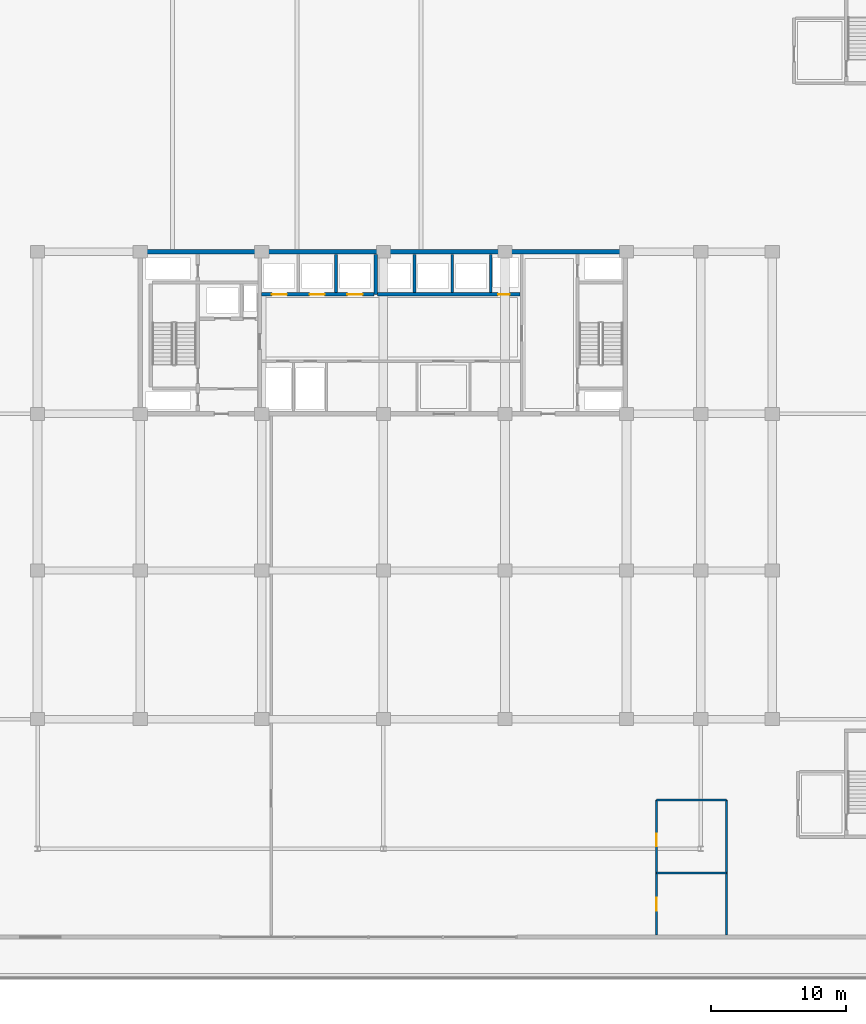
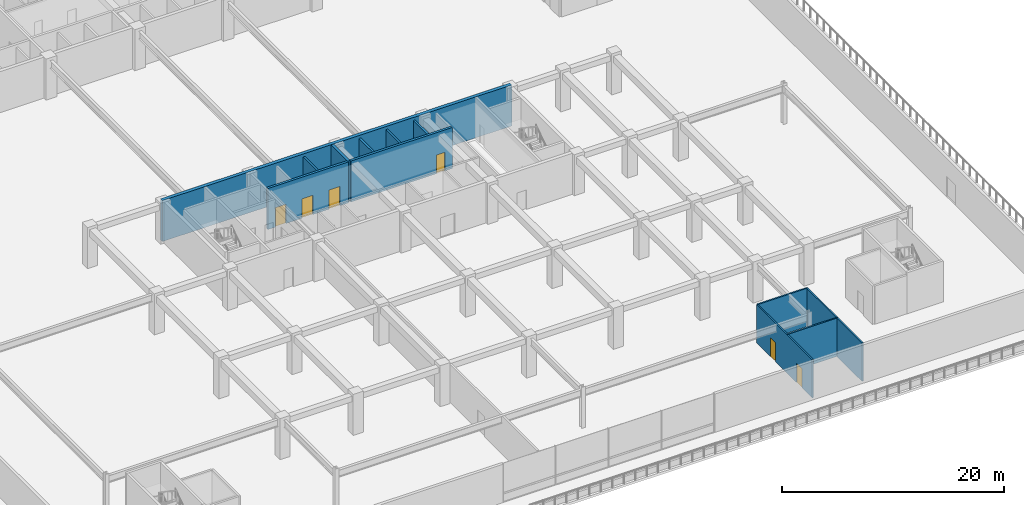
# One storey, part 21 of 43: 12 walls, 6 doors, 6 openings.
"""IFC4 building model written with IfcOpenShell, lengths in metres."""

from ifc_helpers import new_model, si_unit, direction, frame, frame_2d, origin, place, context, subcontext, project, spatial, rectangle, extrude, material, layer, layer_set, type_object, element, fill, save


model = new_model("IFC4")

# Units and contexts
model_context = context("Model", 3, precision=1e-05, world=origin(), true_north=direction((0.0, 1.0)))
body_context = subcontext(model_context, "Body", "Model", "MODEL_VIEW")
ifc_project = project(units=[si_unit("LENGTHUNIT", "METRE"), si_unit("AREAUNIT", "SQUARE_METRE"), si_unit("VOLUMEUNIT", "CUBIC_METRE"), si_unit("PLANEANGLEUNIT", "RADIAN"), si_unit("MASSUNIT", "GRAM", prefix="KILO")], contexts=[model_context])

# Site, building, storey
site_placement = place(None, origin())
site = spatial("IfcSite", under=ifc_project, at=site_placement, CompositionType="ELEMENT")
building_placement = place(site_placement, origin())
building = spatial("IfcBuilding", under=site, at=building_placement, Name="Korimba Cascade Residences", CompositionType="ELEMENT")
storey_placement = place(building_placement, frame((0.0, 0.0, 10.0)))
storey = spatial("IfcBuildingStorey", under=building, at=storey_placement, Name="L02", CompositionType="ELEMENT", Elevation=10.0)

# Wall
ifc_material_1 = material(Name="Concrete C65/80", Category="concrete")
ifc_layer_1 = layer(ifc_material_1, 0.35009765625)
ifc_layer_set_1 = layer_set([ifc_layer_1], Name="Concrete C65/80")
wall_type_1 = type_object("IfcWallType", Name="WAL-CORE-350", PredefinedType="SHEAR", material=ifc_layer_set_1)
wall_1_placement = place(storey_placement, frame((81.925048828125, 30.39990234375, 0.0), z_axis=(0.0, 0.0, 1.0), x_axis=(1.0, 0.0, 0.0)))
element("IfcWall", 1, at=wall_1_placement, inside=storey, type_object=wall_type_1, Name="L02 Core Shear Wall CW-L02-T2-N", PredefinedType="SHEAR", context=body_context, shape_type="SweptSolid", body=[
    extrude(rectangle(XDim=36.264892578125, YDim=0.35009765625, at=frame_2d((18.13232421875, 0.0))), origin(), (0.0, 0.0, 1.0), 4.5),
])

# Wall, openings, doors
ifc_material_2 = material(Name="Insulated Acoustic Stud Partition", Category="gypsum")
ifc_layer_2 = layer(ifc_material_2, 0.14990234375)
ifc_layer_set_2 = layer_set([ifc_layer_2], Name="Insulated Acoustic Stud Partition")
wall_type_2 = type_object("IfcWallType", Name="WAL-PART-150", PredefinedType="PARTITIONING", material=ifc_layer_set_2)
wall_2_placement = place(storey_placement, frame((120.320068359375, -20.199951171875, 0.0), z_axis=(0.0, 0.0, 1.0), x_axis=(0.0, 1.0, 0.0)))
wall_2 = element("IfcWall", 2, at=wall_2_placement, inside=storey, type_object=wall_type_2, Name="L02 Partition Wall WAL-L02-WCW", PredefinedType="PARTITIONING", context=body_context, shape_type="SweptSolid", body=[
    extrude(rectangle(XDim=10.0, YDim=0.14990234375, at=frame_2d((5.0, 0.0))), origin(), (0.0, 0.0, 1.0), 4.199951171875),
])
opening_1_placement = place(wall_2_placement, frame((1.800048828125, 0.0, 0.0)))
opening_1 = element("IfcOpeningElement", 3, at=opening_1_placement, cuts=wall_2, Name="Opening D-AC1", PredefinedType="OPENING", context=body_context, shape_type="SweptSolid", body=[
    extrude(rectangle(XDim=0.9599609375, YDim=2.10009765625, at=frame_2d((0.47998046875, 1.050048828125))), frame((0.0, 0.0849609375, 0.0), z_axis=(0.0, -1.0, 0.0), x_axis=(1.0, 0.0, 0.0)), (0.0, 0.0, 1.0), 0.169921875),
])
opening_2_placement = place(wall_2_placement, frame((6.60009765625, 0.0, 0.0)))
opening_2 = element("IfcOpeningElement", 4, at=opening_2_placement, cuts=wall_2, Name="Opening D-IN1", PredefinedType="OPENING", context=body_context, shape_type="SweptSolid", body=[
    extrude(rectangle(XDim=0.919921875, YDim=2.080078125, at=frame_2d((0.4599609375, 1.0400390625))), frame((0.0, 0.0849609375, 0.0), z_axis=(0.0, -1.0, 0.0), x_axis=(1.0, 0.0, 0.0)), (0.0, 0.0, 1.0), 0.169921875),
])
ifc_material_3 = material(Name="Accessible Acoustic Timber WC Door", Category="wood")
door_type_1 = type_object("IfcDoorType", Name="DR-ACC-950", OperationType="NOTDEFINED", PredefinedType="DOOR", material=ifc_material_3)
door_1_placement = place(opening_1_placement, origin())
door_1 = element("IfcDoor", 5, at=door_1_placement, inside=storey, type_object=door_type_1, Name="L02 Accessible WC Door", OperationType="SINGLE_SWING_RIGHT", OverallHeight=2.10009765625, OverallWidth=0.9599609375, PredefinedType="DOOR", context=body_context, shape_type="SweptSolid", body=[
    extrude(rectangle(XDim=0.9599609375, YDim=2.10009765625, at=frame_2d((0.47998046875, 1.050048828125))), frame((0.0, 0.02490234375, 0.0), z_axis=(0.0, -1.0, 0.0), x_axis=(1.0, 0.0, 0.0)), (0.0, 0.0, 1.0), 0.050048828125),
])
fill(opening_1, door_1)
ifc_material_4 = material(Name="Acoustic Timber Living Door", Category="wood")
door_type_2 = type_object("IfcDoorType", Name="DR-INT-920", OperationType="NOTDEFINED", PredefinedType="DOOR", material=ifc_material_4)
door_2_placement = place(opening_2_placement, origin())
door_2 = element("IfcDoor", 6, at=door_2_placement, inside=storey, type_object=door_type_2, Name="L02 Restroom Door", OperationType="SINGLE_SWING_LEFT", OverallHeight=2.080078125, OverallWidth=0.919921875, PredefinedType="DOOR", context=body_context, shape_type="SweptSolid", body=[
    extrude(rectangle(XDim=0.919921875, YDim=2.080078125, at=frame_2d((0.4599609375, 1.0400390625))), frame((0.0, 0.02490234375, 0.0), z_axis=(0.0, -1.0, 0.0), x_axis=(1.0, 0.0, 0.0)), (0.0, 0.0, 1.0), 0.050048828125),
])
fill(opening_2, door_2)

# Walls
for number, where, z_axis, x_axis, name in (
    (7, (120.320068359375, -15.60009765625, 0.0), (0.0, 0.0, 1.0), (1.0, 0.0, 0.0), "L02 Partition Wall WAL-L02-WCH1"),
    (8, (120.320068359375, -10.199951171875, 0.0), (0.0, 0.0, 1.0), (1.0, 0.0, 0.0), "L02 Partition Wall WAL-L02-WCH2"),
):
    element("IfcWall", number, at=place(storey_placement, frame(where, z_axis=z_axis, x_axis=x_axis)), inside=storey, type_object=wall_type_2, Name=name, PredefinedType="PARTITIONING", context=body_context, shape_type="SweptSolid", body=[
        extrude(rectangle(XDim=5.179931640625, YDim=0.14990234375, at=frame_2d((2.58984375, 0.0))), origin(), (0.0, 0.0, 1.0), 4.199951171875),
    ])
wall_3_placement = place(storey_placement, frame((125.5, -20.199951171875, 0.0), z_axis=(0.0, 0.0, 1.0), x_axis=(0.0, 1.0, 0.0)))
element("IfcWall", 9, at=wall_3_placement, inside=storey, type_object=wall_type_2, Name="L02 Partition Wall WAL-L02-WCE", PredefinedType="PARTITIONING", context=body_context, shape_type="SweptSolid", body=[
    extrude(rectangle(XDim=10.0, YDim=0.14990234375, at=frame_2d((5.0, 0.0))), origin(), (0.0, 0.0, 1.0), 4.199951171875),
])
ifc_material_5 = material(Name="Concrete C40/50", Category="concrete")
ifc_layer_3 = layer(ifc_material_5, 0.199951171875)
ifc_layer_set_3 = layer_set([ifc_layer_3], Name="Concrete C40/50")
wall_type_3 = type_object("IfcWallType", Name="WAL-PART-200", PredefinedType="PARTITIONING", material=ifc_layer_set_3)
for number, where, z_axis, x_axis, name in (
    (10, (96.60009765625, 27.3798828125, 0.0), (0.0, 0.0, 1.0), (0.0, 1.0, 0.0), "L02 Partition Wall CW-L02-T2-B1D2"),
    (11, (102.39990234375, 27.3798828125, 0.0), (0.0, 0.0, 1.0), (0.0, 1.0, 0.0), "L02 Partition Wall CW-L02-T2-B2D1"),
    (12, (105.199951171875, 27.3798828125, 0.0), (0.0, 0.0, 1.0), (0.0, 1.0, 0.0), "L02 Partition Wall CW-L02-T2-B2D2"),
    (13, (108.050048828125, 27.3798828125, 0.0), (0.0, 0.0, 1.0), (0.0, 1.0, 0.0), "L02 Partition Wall CW-L02-T2-B2D3"),
):
    element("IfcWall", number, at=place(storey_placement, frame(where, z_axis=z_axis, x_axis=x_axis)), inside=storey, type_object=wall_type_3, Name=name, PredefinedType="PARTITIONING", context=body_context, shape_type="SweptSolid", body=[
        extrude(rectangle(XDim=2.820068359375, YDim=0.199951171875, at=frame_2d((1.41015625, 0.0))), origin(), (0.0, 0.0, 1.0), 4.199951171875),
    ])

# Wall, openings, doors
ifc_material_6 = material(Name="Concrete C50/60", Category="concrete")
ifc_layer_4 = layer(ifc_material_6, 0.25)
ifc_layer_set_4 = layer_set([ifc_layer_4], Name="Concrete C50/60")
wall_type_4 = type_object("IfcWallType", Name="WAL-SHAFT-250", PredefinedType="SHEAR", material=ifc_layer_set_4)
wall_4_placement = place(storey_placement, frame((91.080078125, 27.25, 0.0), z_axis=(0.0, 0.0, 1.0), x_axis=(1.0, 0.0, 0.0)))
wall_4 = element("IfcWall", 14, at=wall_4_placement, inside=storey, type_object=wall_type_4, Name="L02 Core Shear Wall CW-L02-T2-B1S", PredefinedType="SHEAR", context=body_context, shape_type="SweptSolid", body=[
    extrude(rectangle(XDim=8.33984375, YDim=0.25, at=frame_2d((4.169921875, 0.0))), origin(), (0.0, 0.0, 1.0), 4.5),
])
opening_3_placement = place(wall_4_placement, frame((0.760009765625, 0.0, 0.0)))
opening_3 = element("IfcOpeningElement", 15, at=opening_3_placement, cuts=wall_4, Name="Opening LD-01", PredefinedType="OPENING", context=body_context, shape_type="SweptSolid", body=[
    extrude(rectangle(XDim=1.1201171875, YDim=2.1201171875, at=frame_2d((0.56005859375, 1.06005859375))), frame((0.0, 0.135009765625, 0.0), z_axis=(0.0, -1.0, 0.0), x_axis=(1.0, 0.0, 0.0)), (0.0, 0.0, 1.0), 0.27001953125),
])
opening_4_placement = place(wall_4_placement, frame((3.56005859375, 0.0, 0.0)))
opening_4 = element("IfcOpeningElement", 16, at=opening_4_placement, cuts=wall_4, Name="Opening LD-01", PredefinedType="OPENING", context=body_context, shape_type="SweptSolid", body=[
    extrude(rectangle(XDim=1.1201171875, YDim=2.1201171875, at=frame_2d((0.56005859375, 1.06005859375))), frame((0.0, 0.135009765625, 0.0), z_axis=(0.0, -1.0, 0.0), x_axis=(1.0, 0.0, 0.0)), (0.0, 0.0, 1.0), 0.27001953125),
])
opening_5_placement = place(wall_4_placement, frame((6.360107421875, 0.0, 0.0)))
opening_5 = element("IfcOpeningElement", 17, at=opening_5_placement, cuts=wall_4, Name="Opening LD-01", PredefinedType="OPENING", context=body_context, shape_type="SweptSolid", body=[
    extrude(rectangle(XDim=1.1201171875, YDim=2.1201171875, at=frame_2d((0.56005859375, 1.06005859375))), frame((0.0, 0.135009765625, 0.0), z_axis=(0.0, -1.0, 0.0), x_axis=(1.0, 0.0, 0.0)), (0.0, 0.0, 1.0), 0.27001953125),
])
ifc_material_7 = material(Name="Stainless Steel Lift Landing Sliding Door", Category="steel")
door_type_3 = type_object("IfcDoorType", Name="DR-LIFT-1100", OperationType="NOTDEFINED", PredefinedType="DOOR", material=ifc_material_7)
door_3_placement = place(opening_3_placement, origin())
door_3 = element("IfcDoor", 18, at=door_3_placement, inside=storey, type_object=door_type_3, Name="L02 Lift Landing Door PL-E1", OperationType="SLIDING_TO_LEFT", OverallHeight=2.1201171875, OverallWidth=1.1201171875, PredefinedType="DOOR", context=body_context, shape_type="SweptSolid", body=[
    extrude(rectangle(XDim=1.1201171875, YDim=2.1201171875, at=frame_2d((0.56005859375, 1.06005859375))), frame((0.0, 0.02490234375, 0.0), z_axis=(0.0, -1.0, 0.0), x_axis=(1.0, 0.0, 0.0)), (0.0, 0.0, 1.0), 0.050048828125),
])
fill(opening_3, door_3)
door_4_placement = place(opening_4_placement, origin())
door_4 = element("IfcDoor", 19, at=door_4_placement, inside=storey, type_object=door_type_3, Name="L02 Lift Landing Door PL-E2", OperationType="SLIDING_TO_LEFT", OverallHeight=2.1201171875, OverallWidth=1.1201171875, PredefinedType="DOOR", context=body_context, shape_type="SweptSolid", body=[
    extrude(rectangle(XDim=1.1201171875, YDim=2.1201171875, at=frame_2d((0.56005859375, 1.06005859375))), frame((0.0, 0.02490234375, 0.0), z_axis=(0.0, -1.0, 0.0), x_axis=(1.0, 0.0, 0.0)), (0.0, 0.0, 1.0), 0.050048828125),
])
fill(opening_4, door_4)
door_5_placement = place(opening_5_placement, origin())
door_5 = element("IfcDoor", 20, at=door_5_placement, inside=storey, type_object=door_type_3, Name="L02 Lift Landing Door PL-E3", OperationType="SLIDING_TO_LEFT", OverallHeight=2.1201171875, OverallWidth=1.1201171875, PredefinedType="DOOR", context=body_context, shape_type="SweptSolid", body=[
    extrude(rectangle(XDim=1.1201171875, YDim=2.1201171875, at=frame_2d((0.56005859375, 1.06005859375))), frame((0.0, 0.02490234375, 0.0), z_axis=(0.0, -1.0, 0.0), x_axis=(1.0, 0.0, 0.0)), (0.0, 0.0, 1.0), 0.050048828125),
])
fill(opening_5, door_5)

# Wall
wall_5_placement = place(storey_placement, frame((99.550048828125, 27.25, 0.0), z_axis=(0.0, 0.0, 1.0), x_axis=(0.0, 1.0, 0.0)))
element("IfcWall", 21, at=wall_5_placement, inside=storey, type_object=wall_type_4, Name="L02 Core Shear Wall CW-L02-T2-B12DIV", PredefinedType="SHEAR", context=body_context, shape_type="SweptSolid", body=[
    extrude(rectangle(XDim=2.949951171875, YDim=0.25, at=frame_2d((1.47509765625, 0.0))), origin(), (0.0, 0.0, 1.0), 4.5),
])

# Wall, opening, door
wall_6_placement = place(storey_placement, frame((99.679931640625, 27.25, 0.0), z_axis=(0.0, 0.0, 1.0), x_axis=(1.0, 0.0, 0.0)))
wall_6 = element("IfcWall", 22, at=wall_6_placement, inside=storey, type_object=wall_type_4, Name="L02 Core Shear Wall CW-L02-T2-B2S", PredefinedType="SHEAR", context=body_context, shape_type="SweptSolid", body=[
    extrude(rectangle(XDim=10.5400390625, YDim=0.25, at=frame_2d((5.27001953125, 0.0))), origin(), (0.0, 0.0, 1.0), 4.5),
])
opening_6_placement = place(wall_6_placement, frame((8.919921875, 0.0, 0.0)))
opening_6 = element("IfcOpeningElement", 23, at=opening_6_placement, cuts=wall_6, Name="Opening D-RS1", PredefinedType="OPENING", context=body_context, shape_type="SweptSolid", body=[
    extrude(rectangle(XDim=0.85009765625, YDim=2.050048828125, at=frame_2d((0.425048828125, 1.02490234375))), frame((0.0, 0.135009765625, 0.0), z_axis=(0.0, -1.0, 0.0), x_axis=(1.0, 0.0, 0.0)), (0.0, 0.0, 1.0), 0.27001953125),
])
ifc_material_8 = material(Name="Fire-Rated Steel Riser Access Door", Category="steel")
door_type_4 = type_object("IfcDoorType", Name="DR-FD60-850", OperationType="NOTDEFINED", PredefinedType="DOOR", material=ifc_material_8)
door_6_placement = place(opening_6_placement, origin())
door_6 = element("IfcDoor", 24, at=door_6_placement, inside=storey, type_object=door_type_4, Name="L02 T2 Duct Door", OperationType="SINGLE_SWING_LEFT", OverallHeight=2.050048828125, OverallWidth=0.85009765625, PredefinedType="DOOR", context=body_context, shape_type="SweptSolid", body=[
    extrude(rectangle(XDim=0.85009765625, YDim=2.050048828125, at=frame_2d((0.425048828125, 1.02490234375))), frame((0.0, 0.02490234375, 0.0), z_axis=(0.0, -1.0, 0.0), x_axis=(1.0, 0.0, 0.0)), (0.0, 0.0, 1.0), 0.050048828125),
])
fill(opening_6, door_6)

save(model, "model.ifc")
